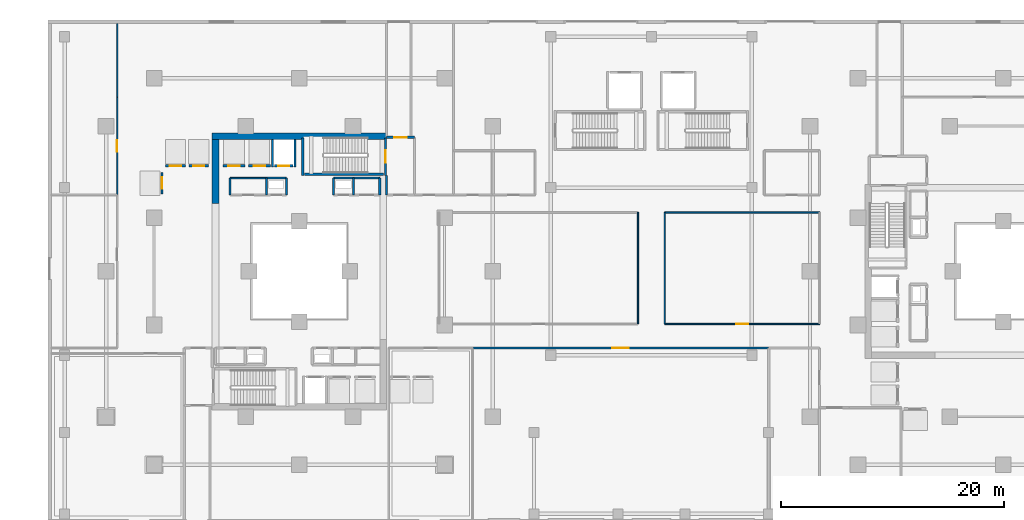
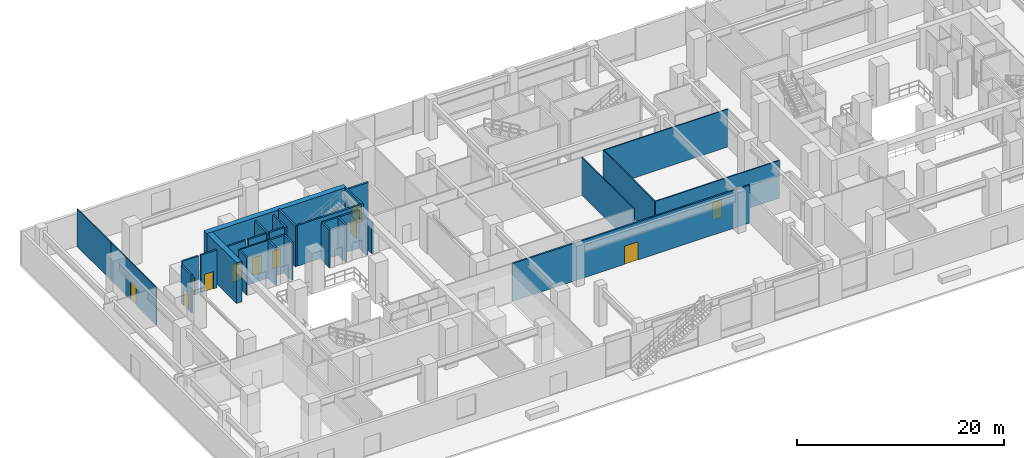
# One storey, part 14 of 24: 32 walls, 11 doors, 11 openings.
"""IFC4 building model written with IfcOpenShell, lengths in metres."""

from ifc_helpers import new_model, si_unit, direction, frame, frame_2d, origin, place, context, subcontext, project, spatial, rectangle, extrude, material, layer, layer_set, type_object, element, fill, save


model = new_model("IFC4")

# Units and contexts
model_context = context("Model", 3, precision=1e-05, world=origin(), true_north=direction((0.0, 1.0)))
body_context = subcontext(model_context, "Body", "Model", "MODEL_VIEW")
ifc_project = project(units=[si_unit("LENGTHUNIT", "METRE"), si_unit("AREAUNIT", "SQUARE_METRE"), si_unit("VOLUMEUNIT", "CUBIC_METRE"), si_unit("PLANEANGLEUNIT", "RADIAN"), si_unit("MASSUNIT", "GRAM", prefix="KILO")], contexts=[model_context])

# Site, building, storey
site_placement = place(None, origin())
site = spatial("IfcSite", under=ifc_project, at=site_placement, CompositionType="ELEMENT")
building_placement = place(site_placement, origin())
building = spatial("IfcBuilding", under=site, at=building_placement, Name="Thornwick Lancets Civic Towers", CompositionType="ELEMENT")
storey_placement = place(building_placement, origin())
storey = spatial("IfcBuildingStorey", under=building, at=storey_placement, Name="L00", CompositionType="ELEMENT", Elevation=0.0)

# Wall, opening, door
ifc_material_1 = material(Name="Concrete blockwork C40/50", Category="masonry")
ifc_layer_1 = layer(ifc_material_1, 0.199951171875, Name="Concrete blockwork C40/50")
ifc_layer_set_1 = layer_set([ifc_layer_1], Name="Concrete blockwork C40/50")
wall_type_1 = type_object("IfcWallType", Name="WALL_COMP_200", PredefinedType="STANDARD", material=ifc_layer_set_1)
wall_1_placement = place(storey_placement, frame((24.919921875, 36.449951171875, 0.0), z_axis=(0.0, 0.0, 1.0), x_axis=(-1.0, 0.0, 0.0)))
wall_1 = element("IfcWall", 1, at=wall_1_placement, inside=storey, type_object=wall_type_1, Name="L00 Hoistway Front Wall FL-A2", PredefinedType="STANDARD", context=body_context, shape_type="SweptSolid", body=[
    extrude(rectangle(XDim=1.639892578125, YDim=0.199951171875, at=frame_2d((0.81982421875, 0.0))), origin(), (0.0, 0.0, 1.0), 4.4599609375),
])
opening_1_placement = place(wall_1_placement, frame((0.31005859375, 0.0, 0.0)))
opening_1 = element("IfcOpeningElement", 2, at=opening_1_placement, cuts=wall_1, Name="Opening LD-FL-A2", PredefinedType="OPENING", context=body_context, shape_type="SweptSolid", body=[
    extrude(rectangle(XDim=1.02001953125, YDim=2.06005859375, at=frame_2d((0.510009765625, 1.030029296875))), frame((0.0, 0.10986328125, 0.0), z_axis=(0.0, -1.0, 0.0), x_axis=(1.0, 0.0, 0.0)), (0.0, 0.0, 1.0), 0.219970703125),
])
ifc_material_2 = material(Name="Brushed bronze stainless steel", Category="steel")
door_type_1 = type_object("IfcDoorType", Name="DOOR_LIFT_SLIDE", OperationType="SLIDING_TO_LEFT", PredefinedType="DOOR", material=ifc_material_2)
door_1_placement = place(opening_1_placement, origin())
door_1 = element("IfcDoor", 3, at=door_1_placement, inside=storey, type_object=door_type_1, Name="L00 Sliding Lift Landing Door LD-FL-A2", OperationType="SLIDING_TO_LEFT", OverallHeight=2.06005859375, OverallWidth=1.02001953125, PredefinedType="DOOR", context=body_context, shape_type="SweptSolid", body=[
    extrude(rectangle(XDim=1.02001953125, YDim=2.06005859375, at=frame_2d((0.510009765625, 1.030029296875))), frame((0.0, 0.02490234375, 0.0), z_axis=(0.0, -1.0, 0.0), x_axis=(1.0, 0.0, 0.0)), (0.0, 0.0, 1.0), 0.050048828125),
])
fill(opening_1, door_1)

wall_2_placement = place(storey_placement, frame((22.919921875, 36.449951171875, 0.0), z_axis=(0.0, 0.0, 1.0), x_axis=(-1.0, 0.0, 0.0)))
wall_2 = element("IfcWall", 4, at=wall_2_placement, inside=storey, type_object=wall_type_1, Name="L00 Hoistway Front Wall PL-AH2", PredefinedType="STANDARD", context=body_context, shape_type="SweptSolid", body=[
    extrude(rectangle(XDim=1.989990234375, YDim=0.199951171875, at=frame_2d((0.9951171875, 0.0))), origin(), (0.0, 0.0, 1.0), 4.4599609375),
])
opening_2_placement = place(wall_2_placement, frame((0.485107421875, 0.0, 0.0)))
opening_2 = element("IfcOpeningElement", 5, at=opening_2_placement, cuts=wall_2, Name="Opening LD-PL-AH2", PredefinedType="OPENING", context=body_context, shape_type="SweptSolid", body=[
    extrude(rectangle(XDim=1.02001953125, YDim=2.06005859375, at=frame_2d((0.510009765625, 1.030029296875))), frame((0.0, 0.10986328125, 0.0), z_axis=(0.0, -1.0, 0.0), x_axis=(1.0, 0.0, 0.0)), (0.0, 0.0, 1.0), 0.219970703125),
])
door_2_placement = place(opening_2_placement, origin())
door_2 = element("IfcDoor", 6, at=door_2_placement, inside=storey, type_object=door_type_1, Name="L00 Sliding Lift Landing Door LD-PL-AH2", OperationType="SLIDING_TO_LEFT", OverallHeight=2.06005859375, OverallWidth=1.02001953125, PredefinedType="DOOR", context=body_context, shape_type="SweptSolid", body=[
    extrude(rectangle(XDim=1.02001953125, YDim=2.06005859375, at=frame_2d((0.510009765625, 1.030029296875))), frame((0.0, 0.02490234375, 0.0), z_axis=(0.0, -1.0, 0.0), x_axis=(1.0, 0.0, 0.0)), (0.0, 0.0, 1.0), 0.050048828125),
])
fill(opening_2, door_2)

wall_3_placement = place(storey_placement, frame((20.6201171875, 36.449951171875, 0.0), z_axis=(0.0, 0.0, 1.0), x_axis=(-1.0, 0.0, 0.0)))
wall_3 = element("IfcWall", 7, at=wall_3_placement, inside=storey, type_object=wall_type_1, Name="L00 Hoistway Front Wall PL-AH3", PredefinedType="STANDARD", context=body_context, shape_type="SweptSolid", body=[
    extrude(rectangle(XDim=1.940185546875, YDim=0.199951171875, at=frame_2d((0.97021484375, 0.0))), origin(), (0.0, 0.0, 1.0), 4.4599609375),
])
opening_3_placement = place(wall_3_placement, frame((0.4599609375, 0.0, 0.0)))
opening_3 = element("IfcOpeningElement", 8, at=opening_3_placement, cuts=wall_3, Name="Opening LD-PL-AH3", PredefinedType="OPENING", context=body_context, shape_type="SweptSolid", body=[
    extrude(rectangle(XDim=1.02001953125, YDim=2.06005859375, at=frame_2d((0.510009765625, 1.030029296875))), frame((0.0, 0.10986328125, 0.0), z_axis=(0.0, -1.0, 0.0), x_axis=(1.0, 0.0, 0.0)), (0.0, 0.0, 1.0), 0.219970703125),
])
door_3_placement = place(opening_3_placement, origin())
door_3 = element("IfcDoor", 9, at=door_3_placement, inside=storey, type_object=door_type_1, Name="L00 Sliding Lift Landing Door LD-PL-AH3", OperationType="SLIDING_TO_LEFT", OverallHeight=2.06005859375, OverallWidth=1.02001953125, PredefinedType="DOOR", context=body_context, shape_type="SweptSolid", body=[
    extrude(rectangle(XDim=1.02001953125, YDim=2.06005859375, at=frame_2d((0.510009765625, 1.030029296875))), frame((0.0, 0.02490234375, 0.0), z_axis=(0.0, -1.0, 0.0), x_axis=(1.0, 0.0, 0.0)), (0.0, 0.0, 1.0), 0.050048828125),
])
fill(opening_3, door_3)

wall_4_placement = place(storey_placement, frame((17.3701171875, 36.449951171875, 0.0), z_axis=(0.0, 0.0, 1.0), x_axis=(-1.0, 0.0, 0.0)))
wall_4 = element("IfcWall", 10, at=wall_4_placement, inside=storey, type_object=wall_type_1, Name="L00 Hoistway Front Wall PL-AM1", PredefinedType="STANDARD", context=body_context, shape_type="SweptSolid", body=[
    extrude(rectangle(XDim=1.740234375, YDim=0.199951171875, at=frame_2d((0.8701171875, 0.0))), origin(), (0.0, 0.0, 1.0), 4.4599609375),
])
opening_4_placement = place(wall_4_placement, frame((0.360107421875, 0.0, 0.0)))
opening_4 = element("IfcOpeningElement", 11, at=opening_4_placement, cuts=wall_4, Name="Opening LD-PL-AM1", PredefinedType="OPENING", context=body_context, shape_type="SweptSolid", body=[
    extrude(rectangle(XDim=1.02001953125, YDim=2.06005859375, at=frame_2d((0.510009765625, 1.030029296875))), frame((0.0, 0.10986328125, 0.0), z_axis=(0.0, -1.0, 0.0), x_axis=(1.0, 0.0, 0.0)), (0.0, 0.0, 1.0), 0.219970703125),
])
door_4_placement = place(opening_4_placement, origin())
door_4 = element("IfcDoor", 12, at=door_4_placement, inside=storey, type_object=door_type_1, Name="L00 Sliding Lift Landing Door LD-PL-AM1", OperationType="SLIDING_TO_LEFT", OverallHeight=2.06005859375, OverallWidth=1.02001953125, PredefinedType="DOOR", context=body_context, shape_type="SweptSolid", body=[
    extrude(rectangle(XDim=1.02001953125, YDim=2.06005859375, at=frame_2d((0.510009765625, 1.030029296875))), frame((0.0, 0.02490234375, 0.0), z_axis=(0.0, -1.0, 0.0), x_axis=(1.0, 0.0, 0.0)), (0.0, 0.0, 1.0), 0.050048828125),
])
fill(opening_4, door_4)

wall_5_placement = place(storey_placement, frame((15.320068359375, 36.449951171875, 0.0), z_axis=(0.0, 0.0, 1.0), x_axis=(-1.0, 0.0, 0.0)))
wall_5 = element("IfcWall", 13, at=wall_5_placement, inside=storey, type_object=wall_type_1, Name="L00 Hoistway Front Wall PL-AM2", PredefinedType="STANDARD", context=body_context, shape_type="SweptSolid", body=[
    extrude(rectangle(XDim=1.7900390625, YDim=0.199951171875, at=frame_2d((0.89501953125, 0.0))), origin(), (0.0, 0.0, 1.0), 4.4599609375),
])
opening_5_placement = place(wall_5_placement, frame((0.385009765625, 0.0, 0.0)))
opening_5 = element("IfcOpeningElement", 14, at=opening_5_placement, cuts=wall_5, Name="Opening LD-PL-AM2", PredefinedType="OPENING", context=body_context, shape_type="SweptSolid", body=[
    extrude(rectangle(XDim=1.02001953125, YDim=2.06005859375, at=frame_2d((0.510009765625, 1.030029296875))), frame((0.0, 0.10986328125, 0.0), z_axis=(0.0, -1.0, 0.0), x_axis=(1.0, 0.0, 0.0)), (0.0, 0.0, 1.0), 0.219970703125),
])
door_5_placement = place(opening_5_placement, origin())
door_5 = element("IfcDoor", 15, at=door_5_placement, inside=storey, type_object=door_type_1, Name="L00 Sliding Lift Landing Door LD-PL-AM2", OperationType="SLIDING_TO_LEFT", OverallHeight=2.06005859375, OverallWidth=1.02001953125, PredefinedType="DOOR", context=body_context, shape_type="SweptSolid", body=[
    extrude(rectangle(XDim=1.02001953125, YDim=2.06005859375, at=frame_2d((0.510009765625, 1.030029296875))), frame((0.0, 0.02490234375, 0.0), z_axis=(0.0, -1.0, 0.0), x_axis=(1.0, 0.0, 0.0)), (0.0, 0.0, 1.0), 0.050048828125),
])
fill(opening_5, door_5)

wall_6_placement = place(storey_placement, frame((13.199951171875, 33.929931640625, 0.0), z_axis=(0.0, 0.0, 1.0), x_axis=(0.0, 1.0, 0.0)))
wall_6 = element("IfcWall", 16, at=wall_6_placement, inside=storey, type_object=wall_type_1, Name="L00 Hoistway Front Wall PL-AM3", PredefinedType="STANDARD", context=body_context, shape_type="SweptSolid", body=[
    extrude(rectangle(XDim=1.940185546875, YDim=0.199951171875, at=frame_2d((0.97021484375, 0.0))), origin(), (0.0, 0.0, 1.0), 4.4599609375),
])
opening_6_placement = place(wall_6_placement, frame((0.4599609375, 0.0, 0.0)))
opening_6 = element("IfcOpeningElement", 17, at=opening_6_placement, cuts=wall_6, Name="Opening LD-PL-AM3", PredefinedType="OPENING", context=body_context, shape_type="SweptSolid", body=[
    extrude(rectangle(XDim=1.02001953125, YDim=2.06005859375, at=frame_2d((0.510009765625, 1.030029296875))), frame((0.0, 0.10986328125, 0.0), z_axis=(0.0, -1.0, 0.0), x_axis=(1.0, 0.0, 0.0)), (0.0, 0.0, 1.0), 0.219970703125),
])
door_6_placement = place(opening_6_placement, origin())
door_6 = element("IfcDoor", 18, at=door_6_placement, inside=storey, type_object=door_type_1, Name="L00 Sliding Lift Landing Door LD-PL-AM3", OperationType="SLIDING_TO_LEFT", OverallHeight=2.06005859375, OverallWidth=1.02001953125, PredefinedType="DOOR", context=body_context, shape_type="SweptSolid", body=[
    extrude(rectangle(XDim=1.02001953125, YDim=2.06005859375, at=frame_2d((0.510009765625, 1.030029296875))), frame((0.0, 0.02490234375, 0.0), z_axis=(0.0, -1.0, 0.0), x_axis=(1.0, 0.0, 0.0)), (0.0, 0.0, 1.0), 0.050048828125),
])
fill(opening_6, door_6)

# Walls
for number, where, z_axis, x_axis, name in (
    (19, (25.10009765625, 36.35205078125, 0.0), (0.0, 0.0, 1.0), (0.0, 1.0, 0.0), "L00 Hoistway Shaft Wall FL-A2 E"),
    (20, (23.10009765625, 36.35205078125, 0.0), (0.0, 0.0, 1.0), (0.0, 1.0, 0.0), "L00 Hoistway Shaft Wall FL-A2 W"),
):
    element("IfcWall", number, at=place(storey_placement, frame(where, z_axis=z_axis, x_axis=x_axis)), inside=storey, type_object=wall_type_1, Name=name, PredefinedType="STANDARD", context=body_context, shape_type="SweptSolid", body=[
        extrude(rectangle(XDim=2.43603515625, YDim=0.199951171875, at=frame_2d((1.218017578125, 0.0))), origin(), (0.0, 0.0, 1.0), 4.4599609375),
    ])

# Wall, opening, door
wall_7_placement = place(storey_placement, frame((35.800048828125, 39.0, 0.0), z_axis=(0.0, 0.0, 1.0), x_axis=(-1.0, 0.0, 0.0)))
wall_7 = element("IfcWall", 21, at=wall_7_placement, inside=storey, type_object=wall_type_1, Name="L00 Partition L00-A-FFLOB2 E3", PredefinedType="STANDARD", context=body_context, shape_type="SweptSolid", body=[
    extrude(rectangle(XDim=2.5, YDim=0.199951171875, at=frame_2d((1.25, 0.0))), origin(), (0.0, 0.0, 1.0), 4.4599609375),
])
opening_7_placement = place(wall_7_placement, frame((0.675048828125, 0.0, 0.0)))
opening_7 = element("IfcOpeningElement", 22, at=opening_7_placement, cuts=wall_7, Name="Opening D-L00-0071", PredefinedType="OPENING", context=body_context, shape_type="SweptSolid", body=[
    extrude(rectangle(XDim=1.14990234375, YDim=2.10009765625, at=frame_2d((0.574951171875, 1.050048828125))), frame((0.0, 0.10986328125, 0.0), z_axis=(0.0, -1.0, 0.0), x_axis=(1.0, 0.0, 0.0)), (0.0, 0.0, 1.0), 0.219970703125),
])
ifc_material_3 = material(Name="Glazed fire-resisting steel", Category="steel")
door_type_2 = type_object("IfcDoorType", Name="DOOR_LOBBY_FD60", OperationType="NOTDEFINED", PredefinedType="DOOR", material=ifc_material_3)
door_7_placement = place(opening_7_placement, origin())
door_7 = element("IfcDoor", 23, at=door_7_placement, inside=storey, type_object=door_type_2, Name="L00 West Tower North Protected Exit Passage Door", OperationType="SINGLE_SWING_RIGHT", OverallHeight=2.10009765625, OverallWidth=1.14990234375, PredefinedType="DOOR", context=body_context, shape_type="SweptSolid", body=[
    extrude(rectangle(XDim=1.14990234375, YDim=2.10009765625, at=frame_2d((0.574951171875, 1.050048828125))), frame((0.0, 0.02490234375, 0.0), z_axis=(0.0, -1.0, 0.0), x_axis=(1.0, 0.0, 0.0)), (0.0, 0.0, 1.0), 0.050048828125),
])
fill(opening_7, door_7)

# Walls
wall_8_placement = place(storey_placement, frame((33.300048828125, 35.60009765625, 0.0), z_axis=(0.0, 0.0, 1.0), x_axis=(0.0, -1.0, 0.0)))
element("IfcWall", 24, at=wall_8_placement, inside=storey, type_object=wall_type_1, Name="L00 Partition L00-A-FFLOB2 E4", PredefinedType="STANDARD", context=body_context, shape_type="SweptSolid", body=[
    extrude(rectangle(XDim=1.75, YDim=0.199951171875, at=frame_2d((0.875, 0.0))), origin(), (0.0, 0.0, 1.0), 3.6650390625),
])
wall_9_placement = place(storey_placement, frame((24.35009765625, 33.85009765625, 0.0), z_axis=(0.0, 0.0, 1.0), x_axis=(0.0, 1.0, 0.0)))
element("IfcWall", 25, at=wall_9_placement, inside=storey, type_object=wall_type_1, Name="L00 Partition L00-A-DUCT2 E2", PredefinedType="STANDARD", context=body_context, shape_type="SweptSolid", body=[
    extrude(rectangle(XDim=1.5, YDim=0.199951171875, at=frame_2d((0.75, 0.0))), origin(), (0.0, 0.0, 1.0), 4.4599609375),
])
wall_10_placement = place(storey_placement, frame((24.35009765625, 35.35009765625, 0.0), z_axis=(0.0, 0.0, 1.0), x_axis=(-1.0, 0.0, 0.0)))
element("IfcWall", 26, at=wall_10_placement, inside=storey, type_object=wall_type_1, Name="L00 Partition L00-A-DUCT2 E3", PredefinedType="STANDARD", context=body_context, shape_type="SweptSolid", body=[
    extrude(rectangle(XDim=1.800048828125, YDim=0.199951171875, at=frame_2d((0.89990234375, 0.0))), origin(), (0.0, 0.0, 1.0), 4.4599609375),
])
for number, where, z_axis, x_axis, name in (
    (27, (22.550048828125, 35.35009765625, 0.0), (0.0, 0.0, 1.0), (0.0, -1.0, 0.0), "L00 Partition L00-A-DUCT2 E4"),
    (28, (30.35009765625, 33.85009765625, 0.0), (0.0, 0.0, 1.0), (0.0, 1.0, 0.0), "L00 Partition L00-A-RISER2 E2"),
):
    element("IfcWall", number, at=place(storey_placement, frame(where, z_axis=z_axis, x_axis=x_axis)), inside=storey, type_object=wall_type_1, Name=name, PredefinedType="STANDARD", context=body_context, shape_type="SweptSolid", body=[
        extrude(rectangle(XDim=1.5, YDim=0.199951171875, at=frame_2d((0.75, 0.0))), origin(), (0.0, 0.0, 1.0), 4.4599609375),
    ])
wall_11_placement = place(storey_placement, frame((30.35009765625, 35.35009765625, 0.0), z_axis=(0.0, 0.0, 1.0), x_axis=(-1.0, 0.0, 0.0)))
element("IfcWall", 29, at=wall_11_placement, inside=storey, type_object=wall_type_1, Name="L00 Partition L00-A-RISER2 E3", PredefinedType="STANDARD", context=body_context, shape_type="SweptSolid", body=[
    extrude(rectangle(XDim=1.800048828125, YDim=0.199951171875, at=frame_2d((0.89990234375, 0.0))), origin(), (0.0, 0.0, 1.0), 4.4599609375),
])
wall_12_placement = place(storey_placement, frame((28.550048828125, 35.35009765625, 0.0), z_axis=(0.0, 0.0, 1.0), x_axis=(0.0, -1.0, 0.0)))
element("IfcWall", 30, at=wall_12_placement, inside=storey, type_object=wall_type_1, Name="L00 Partition L00-A-RISER2 E4", PredefinedType="STANDARD", context=body_context, shape_type="SweptSolid", body=[
    extrude(rectangle(XDim=1.5, YDim=0.199951171875, at=frame_2d((0.75, 0.0))), origin(), (0.0, 0.0, 1.0), 4.4599609375),
])
wall_13_placement = place(storey_placement, frame((32.699951171875, 35.35009765625, 0.0), z_axis=(0.0, 0.0, 1.0), x_axis=(0.0, -1.0, 0.0)))
element("IfcWall", 31, at=wall_13_placement, inside=storey, type_object=wall_type_1, Name="L00 Partition L00-A-STR E1", PredefinedType="STANDARD", context=body_context, shape_type="SweptSolid", body=[
    extrude(rectangle(XDim=1.5, YDim=0.199951171875, at=frame_2d((0.75, 0.0))), origin(), (0.0, 0.0, 1.0), 3.6650390625),
])
wall_14_placement = place(storey_placement, frame((30.35009765625, 35.35009765625, 0.0), z_axis=(0.0, 0.0, 1.0), x_axis=(1.0, 0.0, 0.0)))
element("IfcWall", 32, at=wall_14_placement, inside=storey, type_object=wall_type_1, Name="L00 Partition L00-A-STR E4", PredefinedType="STANDARD", context=body_context, shape_type="SweptSolid", body=[
    extrude(rectangle(XDim=2.349853515625, YDim=0.199951171875, at=frame_2d((1.1748046875, 0.0))), origin(), (0.0, 0.0, 1.0), 4.4599609375),
])
ifc_material_4 = material(Name="Concrete C60/75", Category="concrete")
ifc_layer_2 = layer(ifc_material_4, 0.60009765625, Name="Concrete C60/75")
ifc_layer_set_2 = layer_set([ifc_layer_2], Name="Concrete C60/75")
wall_type_2 = type_object("IfcWallType", Name="WALL_CORE_600", PredefinedType="SHEAR", material=ifc_layer_set_2)
wall_15_placement = place(storey_placement, frame((17.699951171875, 39.10009765625, 0.0), z_axis=(0.0, 0.0, 1.0), x_axis=(1.0, 0.0, 0.0)))
element("IfcWall", 33, at=wall_15_placement, inside=storey, type_object=wall_type_2, Name="L00 Split Core A2 Shear Wall N", PredefinedType="SHEAR", context=body_context, shape_type="SweptSolid", body=[
    extrude(rectangle(XDim=15.60009765625, YDim=0.60009765625, at=frame_2d((7.800048828125, 0.0))), origin(), (0.0, 0.0, 1.0), 4.800048828125),
])
wall_16_placement = place(storey_placement, frame((18.0, 33.10009765625, 0.0), z_axis=(0.0, 0.0, 1.0), x_axis=(0.0, 1.0, 0.0)))
element("IfcWall", 34, at=wall_16_placement, inside=storey, type_object=wall_type_2, Name="L00 Split Core A2 Shear Wall W", PredefinedType="SHEAR", context=body_context, shape_type="SweptSolid", body=[
    extrude(rectangle(XDim=5.699951171875, YDim=0.60009765625, at=frame_2d((2.85009765625, 0.0))), origin(), (0.0, 0.0, 1.0), 4.800048828125),
])
ifc_material_5 = material(Name="Lightweight cellular office partition")
ifc_layer_3 = layer(ifc_material_5, 0.10009765625, Name="Lightweight cellular office partition")
ifc_layer_set_3 = layer_set([ifc_layer_3], Name="Lightweight cellular office partition")
wall_type_3 = type_object("IfcWallType", Name="WALL_PART_100", PredefinedType="PARTITIONING", material=ifc_layer_set_3)
wall_17_placement = place(storey_placement, frame((9.199951171875, 49.179931640625, 0.0), z_axis=(0.0, 0.0, 1.0), x_axis=(0.0, -1.0, 0.0)))
element("IfcWall", 35, at=wall_17_placement, inside=storey, type_object=wall_type_3, Name="L00 Partition L00-CYCLE E3", PredefinedType="PARTITIONING", context=body_context, shape_type="SweptSolid", body=[
    extrude(rectangle(XDim=6.579833984375, YDim=0.10009765625, at=frame_2d((3.2900390625, 0.0))), origin(), (0.0, 0.0, 1.0), 4.4599609375),
])

# Wall, opening, door
wall_18_placement = place(storey_placement, frame((9.199951171875, 42.60009765625, 0.0), z_axis=(0.0, 0.0, 1.0), x_axis=(0.0, -1.0, 0.0)))
wall_18 = element("IfcWall", 36, at=wall_18_placement, inside=storey, type_object=wall_type_3, Name="L00 Partition L00-CYCLE E4", PredefinedType="PARTITIONING", context=body_context, shape_type="SweptSolid", body=[
    extrude(rectangle(XDim=8.75, YDim=0.10009765625, at=frame_2d((4.375, 0.0))), origin(), (0.0, 0.0, 1.0), 4.4599609375),
])
opening_8_placement = place(wall_18_placement, frame((3.85009765625, 0.0, 0.0)))
opening_8 = element("IfcOpeningElement", 37, at=opening_8_placement, cuts=wall_18, Name="Opening D-L00-0084", PredefinedType="OPENING", context=body_context, shape_type="SweptSolid", body=[
    extrude(rectangle(XDim=1.050048828125, YDim=2.10009765625, at=frame_2d((0.52490234375, 1.050048828125))), frame((0.0, 0.06005859375, 0.0), z_axis=(0.0, -1.0, 0.0), x_axis=(1.0, 0.0, 0.0)), (0.0, 0.0, 1.0), 0.1201171875),
])
ifc_material_6 = material(Name="Glazed European oak executive doorset")
door_type_3 = type_object("IfcDoorType", Name="DOOR_OFFICE_1050", OperationType="NOTDEFINED", PredefinedType="DOOR", material=ifc_material_6)
door_8_placement = place(opening_8_placement, origin())
door_8 = element("IfcDoor", 38, at=door_8_placement, inside=storey, type_object=door_type_3, Name="Ground Visitors Cycle Hub Door", OperationType="SINGLE_SWING_LEFT", OverallHeight=2.10009765625, OverallWidth=1.050048828125, PredefinedType="DOOR", context=body_context, shape_type="SweptSolid", body=[
    extrude(rectangle(XDim=1.050048828125, YDim=2.10009765625, at=frame_2d((0.52490234375, 1.050048828125))), frame((0.0, 0.02490234375, 0.0), z_axis=(0.0, -1.0, 0.0), x_axis=(1.0, 0.0, 0.0)), (0.0, 0.0, 1.0), 0.050048828125),
])
fill(opening_8, door_8)

# Wall
ifc_material_7 = material(Name="Acoustic gypsum board partition")
ifc_layer_4 = layer(ifc_material_7, 0.1201171875, Name="Acoustic gypsum board partition")
ifc_layer_set_4 = layer_set([ifc_layer_4], Name="Acoustic gypsum board partition")
wall_type_4 = type_object("IfcWallType", Name="WALL_PART_120", PredefinedType="PARTITIONING", material=ifc_layer_set_4)
wall_19_placement = place(storey_placement, frame((55.800048828125, 32.280029296875, 0.0), z_axis=(0.0, 0.0, 1.0), x_axis=(0.0, -1.0, 0.0)))
element("IfcWall", 39, at=wall_19_placement, inside=storey, type_object=wall_type_4, Name="L00 Partition L00-CENTW E4", PredefinedType="PARTITIONING", context=body_context, shape_type="SweptSolid", body=[
    extrude(rectangle(XDim=9.97998046875, YDim=0.1201171875, at=frame_2d((4.989990234375, 0.0))), origin(), (0.0, 0.0, 1.0), 4.4599609375),
])

# Wall, opening, door
wall_20_placement = place(storey_placement, frame((72.050048828125, 22.300048828125, 0.0), z_axis=(0.0, 0.0, 1.0), x_axis=(-1.0, 0.0, 0.0)))
wall_20 = element("IfcWall", 40, at=wall_20_placement, inside=storey, type_object=wall_type_4, Name="L00 Partition L00-CENTE E1", PredefinedType="PARTITIONING", context=body_context, shape_type="SweptSolid", body=[
    extrude(rectangle(XDim=13.85009765625, YDim=0.1201171875, at=frame_2d((6.925048828125, 0.0))), origin(), (0.0, 0.0, 1.0), 4.4599609375),
])
opening_9_placement = place(wall_20_placement, frame((6.39990234375, 0.0, 0.0)))
opening_9 = element("IfcOpeningElement", 41, at=opening_9_placement, cuts=wall_20, Name="Opening D-L00-0082", PredefinedType="OPENING", context=body_context, shape_type="SweptSolid", body=[
    extrude(rectangle(XDim=1.050048828125, YDim=2.10009765625, at=frame_2d((0.52490234375, 1.050048828125))), frame((0.0, 0.070068359375, 0.0), z_axis=(0.0, -1.0, 0.0), x_axis=(1.0, 0.0, 0.0)), (0.0, 0.0, 1.0), 0.14013671875),
])
door_9_placement = place(opening_9_placement, origin())
door_9 = element("IfcDoor", 42, at=door_9_placement, inside=storey, type_object=door_type_3, Name="Public Records Reading Library Door", OperationType="SINGLE_SWING_LEFT", OverallHeight=2.10009765625, OverallWidth=1.050048828125, PredefinedType="DOOR", context=body_context, shape_type="SweptSolid", body=[
    extrude(rectangle(XDim=1.050048828125, YDim=2.10009765625, at=frame_2d((0.52490234375, 1.050048828125))), frame((0.0, 0.02490234375, 0.0), z_axis=(0.0, -1.0, 0.0), x_axis=(1.0, 0.0, 0.0)), (0.0, 0.0, 1.0), 0.050048828125),
])
fill(opening_9, door_9)

# Walls
wall_21_placement = place(storey_placement, frame((58.199951171875, 22.300048828125, 0.0), z_axis=(0.0, 0.0, 1.0), x_axis=(0.0, 1.0, 0.0)))
element("IfcWall", 43, at=wall_21_placement, inside=storey, type_object=wall_type_4, Name="L00 Partition L00-CENTE E2", PredefinedType="PARTITIONING", context=body_context, shape_type="SweptSolid", body=[
    extrude(rectangle(XDim=9.97998046875, YDim=0.1201171875, at=frame_2d((4.989990234375, 0.0))), origin(), (0.0, 0.0, 1.0), 4.4599609375),
])
wall_22_placement = place(storey_placement, frame((58.199951171875, 32.280029296875, 0.0), z_axis=(0.0, 0.0, 1.0), x_axis=(1.0, 0.0, 0.0)))
element("IfcWall", 44, at=wall_22_placement, inside=storey, type_object=wall_type_4, Name="L00 Partition L00-CENTE E3", PredefinedType="PARTITIONING", context=body_context, shape_type="SweptSolid", body=[
    extrude(rectangle(XDim=13.85009765625, YDim=0.1201171875, at=frame_2d((6.925048828125, 0.0))), origin(), (0.0, 0.0, 1.0), 4.4599609375),
])
ifc_material_8 = material(Name="Twin-stud acoustic gypsum board")
ifc_layer_5 = layer(ifc_material_8, 0.14990234375, Name="Twin-stud acoustic gypsum board")
ifc_layer_set_5 = layer_set([ifc_layer_5], Name="Twin-stud acoustic gypsum board")
wall_type_5 = type_object("IfcWallType", Name="WALL_PART_150", PredefinedType="PARTITIONING", material=ifc_layer_set_5)
wall_23_placement = place(storey_placement, frame((19.300048828125, 33.85009765625, 0.0), z_axis=(0.0, 0.0, 1.0), x_axis=(0.0, 1.0, 0.0)))
element("IfcWall", 45, at=wall_23_placement, inside=storey, type_object=wall_type_5, Name="L00 Partition L00-A-FWC E1", PredefinedType="PARTITIONING", context=body_context, shape_type="SweptSolid", body=[
    extrude(rectangle(XDim=1.5, YDim=0.14990234375, at=frame_2d((0.75, 0.0))), origin(), (0.0, 0.0, 1.0), 4.4599609375),
])
wall_24_placement = place(storey_placement, frame((19.300048828125, 35.35009765625, 0.0), z_axis=(0.0, 0.0, 1.0), x_axis=(1.0, 0.0, 0.0)))
element("IfcWall", 46, at=wall_24_placement, inside=storey, type_object=wall_type_5, Name="L00 Partition L00-A-FWC E2", PredefinedType="PARTITIONING", context=body_context, shape_type="SweptSolid", body=[
    extrude(rectangle(XDim=3.25, YDim=0.14990234375, at=frame_2d((1.625, 0.0))), origin(), (0.0, 0.0, 1.0), 4.4599609375),
])

# Wall, opening, door
ifc_material_9 = material(Name="High-isolation twin-stud acoustic gypsum")
ifc_layer_6 = layer(ifc_material_9, 0.179931640625, Name="High-isolation twin-stud acoustic gypsum")
ifc_layer_set_6 = layer_set([ifc_layer_6], Name="High-isolation twin-stud acoustic gypsum")
wall_type_6 = type_object("IfcWallType", Name="WALL_PART_180", PredefinedType="PARTITIONING", material=ifc_layer_set_6)
wall_25_placement = place(storey_placement, frame((41.0, 20.14990234375, 0.0), z_axis=(0.0, 0.0, 1.0), x_axis=(1.0, 0.0, 0.0)))
wall_25 = element("IfcWall", 47, at=wall_25_placement, inside=storey, type_object=wall_type_6, Name="L00 Partition L00-HALL E3", PredefinedType="PARTITIONING", context=body_context, shape_type="SweptSolid", body=[
    extrude(rectangle(XDim=26.5, YDim=0.179931640625, at=frame_2d((13.25, 0.0))), origin(), (0.0, 0.0, 1.0), 4.4599609375),
])
opening_10_placement = place(wall_25_placement, frame((12.5, 0.0, 0.0)))
opening_10 = element("IfcOpeningElement", 48, at=opening_10_placement, cuts=wall_25, Name="Opening D-L00-0076", PredefinedType="OPENING", context=body_context, shape_type="SweptSolid", body=[
    extrude(rectangle(XDim=1.5, YDim=2.14990234375, at=frame_2d((0.75, 1.074951171875))), frame((0.0, 0.10009765625, 0.0), z_axis=(0.0, -1.0, 0.0), x_axis=(1.0, 0.0, 0.0)), (0.0, 0.0, 1.0), 0.199951171875),
])
ifc_material_10 = material(Name="Glazed oak double doorset")
door_type_4 = type_object("IfcDoorType", Name="DOOR_SUITE_1500", OperationType="DOUBLE_DOOR_SINGLE_SWING", PredefinedType="DOOR", material=ifc_material_10)
door_10_placement = place(opening_10_placement, origin())
door_10 = element("IfcDoor", 49, at=door_10_placement, inside=storey, type_object=door_type_4, Name="Public Service Hall Door", OperationType="DOUBLE_DOOR_SINGLE_SWING", OverallHeight=2.14990234375, OverallWidth=1.5, PredefinedType="DOOR", context=body_context, shape_type="SweptSolid", body=[
    extrude(rectangle(XDim=1.5, YDim=2.14990234375, at=frame_2d((0.75, 1.074951171875))), frame((0.0, 0.02490234375, 0.0), z_axis=(0.0, -1.0, 0.0), x_axis=(1.0, 0.0, 0.0)), (0.0, 0.0, 1.0), 0.050048828125),
])
fill(opening_10, door_10)

ifc_material_11 = material(Name="Concrete C40/50", Category="concrete")
ifc_layer_7 = layer(ifc_material_11, 0.199951171875, Name="Concrete C40/50")
ifc_layer_set_7 = layer_set([ifc_layer_7], Name="Concrete C40/50")
wall_type_7 = type_object("IfcWallType", Name="WALL_SHAFT_200", PredefinedType="SHEAR", material=ifc_layer_set_7)
wall_26_placement = place(storey_placement, frame((33.199951171875, 38.949951171875, 0.0), z_axis=(0.0, 0.0, 1.0), x_axis=(0.0, -1.0, 0.0)))
wall_26 = element("IfcWall", 50, at=wall_26_placement, inside=storey, type_object=wall_type_7, Name="L00 ST-A2 Fire Stair Core Wall NEAR", PredefinedType="SHEAR", context=body_context, shape_type="SweptSolid", body=[
    extrude(rectangle(XDim=3.349853515625, YDim=0.199951171875, at=frame_2d((1.6748046875, 0.0))), origin(), (0.0, 0.0, 1.0), 4.800048828125),
])
opening_11_placement = place(wall_26_placement, frame((1.125, 0.0, 0.0)))
opening_11 = element("IfcOpeningElement", 51, at=opening_11_placement, cuts=wall_26, Name="Opening D-ST-A2-L00", PredefinedType="OPENING", context=body_context, shape_type="SweptSolid", body=[
    extrude(rectangle(XDim=1.10009765625, YDim=2.10009765625, at=frame_2d((0.550048828125, 1.050048828125))), frame((0.0, 0.10986328125, 0.0), z_axis=(0.0, -1.0, 0.0), x_axis=(1.0, 0.0, 0.0)), (0.0, 0.0, 1.0), 0.219970703125),
])
ifc_material_12 = material(Name="Fire-resisting steel and hardwood", Category="steel")
door_type_5 = type_object("IfcDoorType", Name="DOOR_STAIR_FD60", OperationType="NOTDEFINED", PredefinedType="DOOR", material=ifc_material_12)
door_11_placement = place(opening_11_placement, origin())
door_11 = element("IfcDoor", 52, at=door_11_placement, inside=storey, type_object=door_type_5, Name="L00 ST-A2 Exit Stair Door", OperationType="SINGLE_SWING_LEFT", OverallHeight=2.10009765625, OverallWidth=1.10009765625, PredefinedType="DOOR", context=body_context, shape_type="SweptSolid", body=[
    extrude(rectangle(XDim=1.10009765625, YDim=2.10009765625, at=frame_2d((0.550048828125, 1.050048828125))), frame((0.0, 0.02490234375, 0.0), z_axis=(0.0, -1.0, 0.0), x_axis=(1.0, 0.0, 0.0)), (0.0, 0.0, 1.0), 0.050048828125),
])
fill(opening_11, door_11)

# Walls
wall_27_placement = place(storey_placement, frame((25.800048828125, 35.60009765625, 0.0), z_axis=(0.0, 0.0, 1.0), x_axis=(0.0, 1.0, 0.0)))
element("IfcWall", 53, at=wall_27_placement, inside=storey, type_object=wall_type_7, Name="L00 ST-A2 Fire Stair Core Wall FAR", PredefinedType="SHEAR", context=body_context, shape_type="SweptSolid", body=[
    extrude(rectangle(XDim=3.349853515625, YDim=0.199951171875, at=frame_2d((1.6748046875, 0.0))), origin(), (0.0, 0.0, 1.0), 4.800048828125),
])
wall_28_placement = place(storey_placement, frame((25.949951171875, 35.702880859375, 0.0), z_axis=(0.0, 0.0, 1.0), x_axis=(1.0, 0.0, 0.0)))
element("IfcWall", 54, at=wall_28_placement, inside=storey, type_object=wall_type_7, Name="L00 ST-A2 Fire Stair Core Wall RIGHT", PredefinedType="SHEAR", context=body_context, shape_type="SweptSolid", body=[
    extrude(rectangle(XDim=7.10009765625, YDim=0.199951171875, at=frame_2d((3.550048828125, 0.0))), origin(), (0.0, 0.0, 1.0), 4.800048828125),
])

save(model, "model.ifc")
